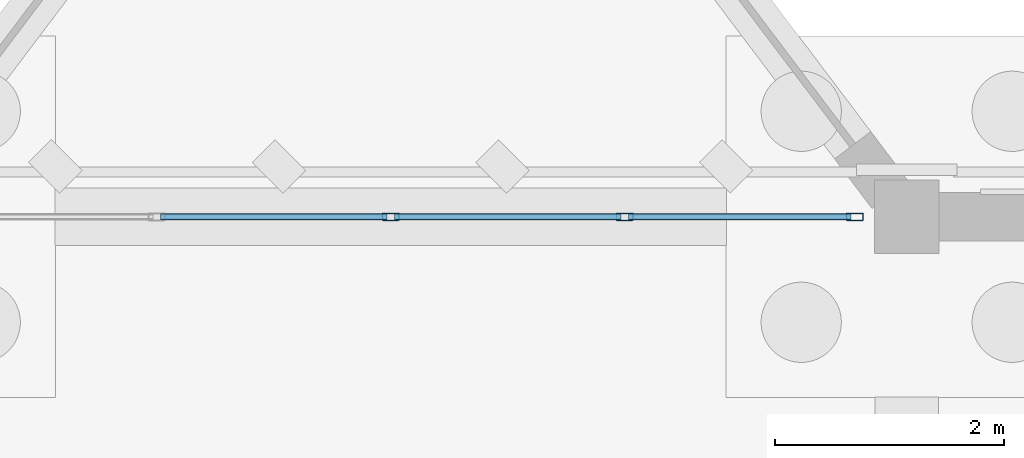
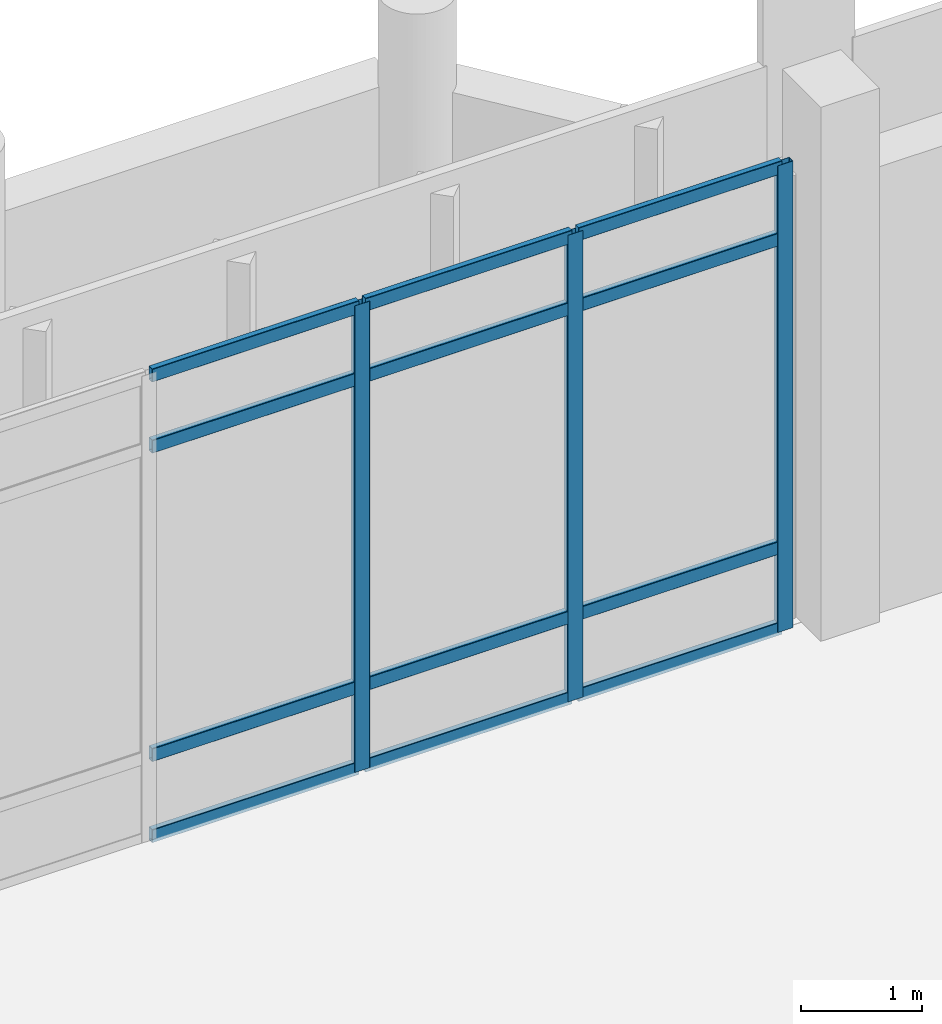
# One storey, part 54 of 109: 15 members, 1 element without a shape of its own.
"""IFC4 building model written with IfcOpenShell, lengths in metres."""

from ifc_helpers import new_model, si_unit, direction, frame, origin, origin_2d, place, context, subcontext, project, spatial, hollow_rectangle, extrude, material, material_profile, profile_set, type_object, element, aggregate, save


model = new_model("IFC4")

# Units and contexts
model_context = context("Model", 3, precision=1e-05, world=origin(), true_north=direction((0.0, 1.0)))
body_context = subcontext(model_context, "Body", "Model", "MODEL_VIEW")
ifc_project = project(units=[si_unit("LENGTHUNIT", "METRE"), si_unit("AREAUNIT", "SQUARE_METRE"), si_unit("VOLUMEUNIT", "CUBIC_METRE"), si_unit("PLANEANGLEUNIT", "RADIAN"), si_unit("MASSUNIT", "GRAM", prefix="KILO")], contexts=[model_context])

# Site, building, storey
site_placement = place(None, origin())
site = spatial("IfcSite", under=ifc_project, at=site_placement, CompositionType="ELEMENT")
building_placement = place(site_placement, origin())
building = spatial("IfcBuilding", under=site, at=building_placement, Name="Lusvemor Sports Hall", CompositionType="ELEMENT")
storey_placement = place(building_placement, origin())
storey = spatial("IfcBuildingStorey", under=building, at=storey_placement, Name="L00", CompositionType="ELEMENT", Elevation=0.0)

# Curtain wall, members
ifc_material_1 = material(Name="Thermally broken bronze-anodized aluminium", Category="aluminium")
curtain_wall_type = type_object("IfcCurtainWallType", Name="CW_WING_B", PredefinedType="NOTDEFINED", material=ifc_material_1)
curtain_wall_placement = place(storey_placement, origin())
curtain_wall = element("IfcCurtainWall", 1, at=curtain_wall_placement, inside=storey, type_object=curtain_wall_type, Name="Curtain Wall CW-L00-N-1-7", PredefinedType="NOTDEFINED")
ifc_material_2 = material(Name="Thermally broken bronze-anodized aluminium", Category="aluminium")
ifc_material_profile_1 = material_profile(ifc_material_2, hollow_rectangle(XDim=0.06494140625, YDim=0.14990234375, WallThickness=0.00390625, InnerFilletRadius=0.00390625, OuterFilletRadius=0.008056640625, at=origin_2d()), Name="CWMUL150x65x4")
ifc_profile_set_1 = profile_set([ifc_material_profile_1], Name="Thermally broken bronze-anodized aluminium")
member_type_1 = type_object("IfcMemberType", Name="CW_MUL_B", PredefinedType="MULLION", material=ifc_profile_set_1)
member_1_placement = place(storey_placement, frame((80.10009765625, 115.199951171875, 0.0), z_axis=(0.0, 0.0, 1.0), x_axis=(0.0, 1.0, 0.0)))
member_1 = element("IfcMember", 2, at=member_1_placement, type_object=member_type_1, Name="CW02 mullion 3", PredefinedType="MULLION", context=body_context, shape_type="SweptSolid", body=[
    extrude(hollow_rectangle(XDim=0.06494140625, YDim=0.14990234375, WallThickness=0.00390625, InnerFilletRadius=0.00390625, OuterFilletRadius=0.008056640625, at=origin_2d()), origin(), (0.0, 0.0, 1.0), 4.719970703125),
])
member_2_placement = place(storey_placement, frame((82.139892578125, 115.199951171875, 0.0), z_axis=(0.0, 0.0, 1.0), x_axis=(0.0, 1.0, 0.0)))
member_2 = element("IfcMember", 3, at=member_2_placement, type_object=member_type_1, Name="CW02 mullion 4", PredefinedType="MULLION", context=body_context, shape_type="SweptSolid", body=[
    extrude(hollow_rectangle(XDim=0.06494140625, YDim=0.14990234375, WallThickness=0.00390625, InnerFilletRadius=0.00390625, OuterFilletRadius=0.008056640625, at=origin_2d()), origin(), (0.0, 0.0, 1.0), 4.719970703125),
])
member_3_placement = place(storey_placement, frame((84.1474609375, 115.199951171875, 0.0), z_axis=(0.0, 0.0, 1.0), x_axis=(0.0, 1.0, 0.0)))
member_3 = element("IfcMember", 4, at=member_3_placement, type_object=member_type_1, Name="CW02 mullion 5", PredefinedType="MULLION", context=body_context, shape_type="SweptSolid", body=[
    extrude(hollow_rectangle(XDim=0.06494140625, YDim=0.14990234375, WallThickness=0.00390625, InnerFilletRadius=0.00390625, OuterFilletRadius=0.008056640625, at=origin_2d()), origin(), (0.0, 0.0, 1.0), 4.719970703125),
])
ifc_material_3 = material(Name="Thermally broken bronze-anodized aluminium", Category="aluminium")
ifc_material_profile_2 = material_profile(ifc_material_3, hollow_rectangle(XDim=0.06005859375, YDim=0.135009765625, WallThickness=0.00390625, InnerFilletRadius=0.00390625, OuterFilletRadius=0.008056640625, at=origin_2d()), Name="CWTRN135x60x4")
ifc_profile_set_2 = profile_set([ifc_material_profile_2], Name="Thermally broken bronze-anodized aluminium")
member_type_2 = type_object("IfcMemberType", Name="CW_TRN_B", PredefinedType="USERDEFINED", material=ifc_profile_set_2)
member_4_placement = place(storey_placement, frame((78.092529296875, 115.199951171875, 0.030029296875), z_axis=(1.0, 0.0, 0.0), x_axis=(0.0, 1.0, 0.0)))
member_4 = element("IfcMember", 5, at=member_4_placement, type_object=member_type_2, Name="CW02 transom 2.1", ObjectType="TRANSOM", PredefinedType="USERDEFINED", context=body_context, shape_type="SweptSolid", body=[
    extrude(hollow_rectangle(XDim=0.06005859375, YDim=0.135009765625, WallThickness=0.00390625, InnerFilletRadius=0.00390625, OuterFilletRadius=0.008056640625, at=origin_2d()), origin(), (0.0, 0.0, 1.0), 1.974853515625),
])
member_5_placement = place(storey_placement, frame((78.092529296875, 115.199951171875, 0.85009765625), z_axis=(1.0, 0.0, 0.0), x_axis=(0.0, 1.0, 0.0)))
member_5 = element("IfcMember", 6, at=member_5_placement, type_object=member_type_2, Name="CW02 transom 2.2", ObjectType="TRANSOM", PredefinedType="USERDEFINED", context=body_context, shape_type="SweptSolid", body=[
    extrude(hollow_rectangle(XDim=0.06005859375, YDim=0.135009765625, WallThickness=0.00390625, InnerFilletRadius=0.00390625, OuterFilletRadius=0.008056640625, at=origin_2d()), origin(), (0.0, 0.0, 1.0), 1.974853515625),
])
member_6_placement = place(storey_placement, frame((78.092529296875, 115.199951171875, 3.969970703125), z_axis=(1.0, 0.0, 0.0), x_axis=(0.0, 1.0, 0.0)))
member_6 = element("IfcMember", 7, at=member_6_placement, type_object=member_type_2, Name="CW02 transom 2.3", ObjectType="TRANSOM", PredefinedType="USERDEFINED", context=body_context, shape_type="SweptSolid", body=[
    extrude(hollow_rectangle(XDim=0.06005859375, YDim=0.135009765625, WallThickness=0.00390625, InnerFilletRadius=0.00390625, OuterFilletRadius=0.008056640625, at=origin_2d()), origin(), (0.0, 0.0, 1.0), 1.974853515625),
])
member_7_placement = place(storey_placement, frame((78.092529296875, 115.199951171875, 4.68994140625), z_axis=(1.0, 0.0, 0.0), x_axis=(0.0, 1.0, 0.0)))
member_7 = element("IfcMember", 8, at=member_7_placement, type_object=member_type_2, Name="CW02 transom 2.4", ObjectType="TRANSOM", PredefinedType="USERDEFINED", context=body_context, shape_type="SweptSolid", body=[
    extrude(hollow_rectangle(XDim=0.06005859375, YDim=0.135009765625, WallThickness=0.00390625, InnerFilletRadius=0.00390625, OuterFilletRadius=0.008056640625, at=origin_2d()), origin(), (0.0, 0.0, 1.0), 1.974853515625),
])
member_8_placement = place(storey_placement, frame((80.132568359375, 115.199951171875, 0.030029296875), z_axis=(1.0, 0.0, 0.0), x_axis=(0.0, 1.0, 0.0)))
member_8 = element("IfcMember", 9, at=member_8_placement, type_object=member_type_2, Name="CW02 transom 3.1", ObjectType="TRANSOM", PredefinedType="USERDEFINED", context=body_context, shape_type="SweptSolid", body=[
    extrude(hollow_rectangle(XDim=0.06005859375, YDim=0.135009765625, WallThickness=0.00390625, InnerFilletRadius=0.00390625, OuterFilletRadius=0.008056640625, at=origin_2d()), origin(), (0.0, 0.0, 1.0), 1.974853515625),
])
member_9_placement = place(storey_placement, frame((80.132568359375, 115.199951171875, 0.85009765625), z_axis=(1.0, 0.0, 0.0), x_axis=(0.0, 1.0, 0.0)))
member_9 = element("IfcMember", 10, at=member_9_placement, type_object=member_type_2, Name="CW02 transom 3.2", ObjectType="TRANSOM", PredefinedType="USERDEFINED", context=body_context, shape_type="SweptSolid", body=[
    extrude(hollow_rectangle(XDim=0.06005859375, YDim=0.135009765625, WallThickness=0.00390625, InnerFilletRadius=0.00390625, OuterFilletRadius=0.008056640625, at=origin_2d()), origin(), (0.0, 0.0, 1.0), 1.974853515625),
])
member_10_placement = place(storey_placement, frame((80.132568359375, 115.199951171875, 3.969970703125), z_axis=(1.0, 0.0, 0.0), x_axis=(0.0, 1.0, 0.0)))
member_10 = element("IfcMember", 11, at=member_10_placement, type_object=member_type_2, Name="CW02 transom 3.3", ObjectType="TRANSOM", PredefinedType="USERDEFINED", context=body_context, shape_type="SweptSolid", body=[
    extrude(hollow_rectangle(XDim=0.06005859375, YDim=0.135009765625, WallThickness=0.00390625, InnerFilletRadius=0.00390625, OuterFilletRadius=0.008056640625, at=origin_2d()), origin(), (0.0, 0.0, 1.0), 1.974853515625),
])
member_11_placement = place(storey_placement, frame((80.132568359375, 115.199951171875, 4.68994140625), z_axis=(1.0, 0.0, 0.0), x_axis=(0.0, 1.0, 0.0)))
member_11 = element("IfcMember", 12, at=member_11_placement, type_object=member_type_2, Name="CW02 transom 3.4", ObjectType="TRANSOM", PredefinedType="USERDEFINED", context=body_context, shape_type="SweptSolid", body=[
    extrude(hollow_rectangle(XDim=0.06005859375, YDim=0.135009765625, WallThickness=0.00390625, InnerFilletRadius=0.00390625, OuterFilletRadius=0.008056640625, at=origin_2d()), origin(), (0.0, 0.0, 1.0), 1.974853515625),
])
member_12_placement = place(storey_placement, frame((82.172607421875, 115.199951171875, 0.030029296875), z_axis=(1.0, 0.0, 0.0), x_axis=(0.0, 1.0, 0.0)))
member_12 = element("IfcMember", 13, at=member_12_placement, type_object=member_type_2, Name="CW02 transom 4.1", ObjectType="TRANSOM", PredefinedType="USERDEFINED", context=body_context, shape_type="SweptSolid", body=[
    extrude(hollow_rectangle(XDim=0.06005859375, YDim=0.135009765625, WallThickness=0.00390625, InnerFilletRadius=0.00390625, OuterFilletRadius=0.008056640625, at=origin_2d()), origin(), (0.0, 0.0, 1.0), 1.9423828125),
])
member_13_placement = place(storey_placement, frame((82.172607421875, 115.199951171875, 0.85009765625), z_axis=(1.0, 0.0, 0.0), x_axis=(0.0, 1.0, 0.0)))
member_13 = element("IfcMember", 14, at=member_13_placement, type_object=member_type_2, Name="CW02 transom 4.2", ObjectType="TRANSOM", PredefinedType="USERDEFINED", context=body_context, shape_type="SweptSolid", body=[
    extrude(hollow_rectangle(XDim=0.06005859375, YDim=0.135009765625, WallThickness=0.00390625, InnerFilletRadius=0.00390625, OuterFilletRadius=0.008056640625, at=origin_2d()), origin(), (0.0, 0.0, 1.0), 1.9423828125),
])
member_14_placement = place(storey_placement, frame((82.172607421875, 115.199951171875, 3.969970703125), z_axis=(1.0, 0.0, 0.0), x_axis=(0.0, 1.0, 0.0)))
member_14 = element("IfcMember", 15, at=member_14_placement, type_object=member_type_2, Name="CW02 transom 4.3", ObjectType="TRANSOM", PredefinedType="USERDEFINED", context=body_context, shape_type="SweptSolid", body=[
    extrude(hollow_rectangle(XDim=0.06005859375, YDim=0.135009765625, WallThickness=0.00390625, InnerFilletRadius=0.00390625, OuterFilletRadius=0.008056640625, at=origin_2d()), origin(), (0.0, 0.0, 1.0), 1.9423828125),
])
member_15_placement = place(storey_placement, frame((82.172607421875, 115.199951171875, 4.68994140625), z_axis=(1.0, 0.0, 0.0), x_axis=(0.0, 1.0, 0.0)))
member_15 = element("IfcMember", 16, at=member_15_placement, type_object=member_type_2, Name="CW02 transom 4.4", ObjectType="TRANSOM", PredefinedType="USERDEFINED", context=body_context, shape_type="SweptSolid", body=[
    extrude(hollow_rectangle(XDim=0.06005859375, YDim=0.135009765625, WallThickness=0.00390625, InnerFilletRadius=0.00390625, OuterFilletRadius=0.008056640625, at=origin_2d()), origin(), (0.0, 0.0, 1.0), 1.9423828125),
])
aggregate(curtain_wall, [member_1, member_2, member_3, member_4, member_5, member_6, member_7, member_8, member_9, member_10, member_11, member_12, member_13, member_14, member_15])

save(model, "model.ifc")
